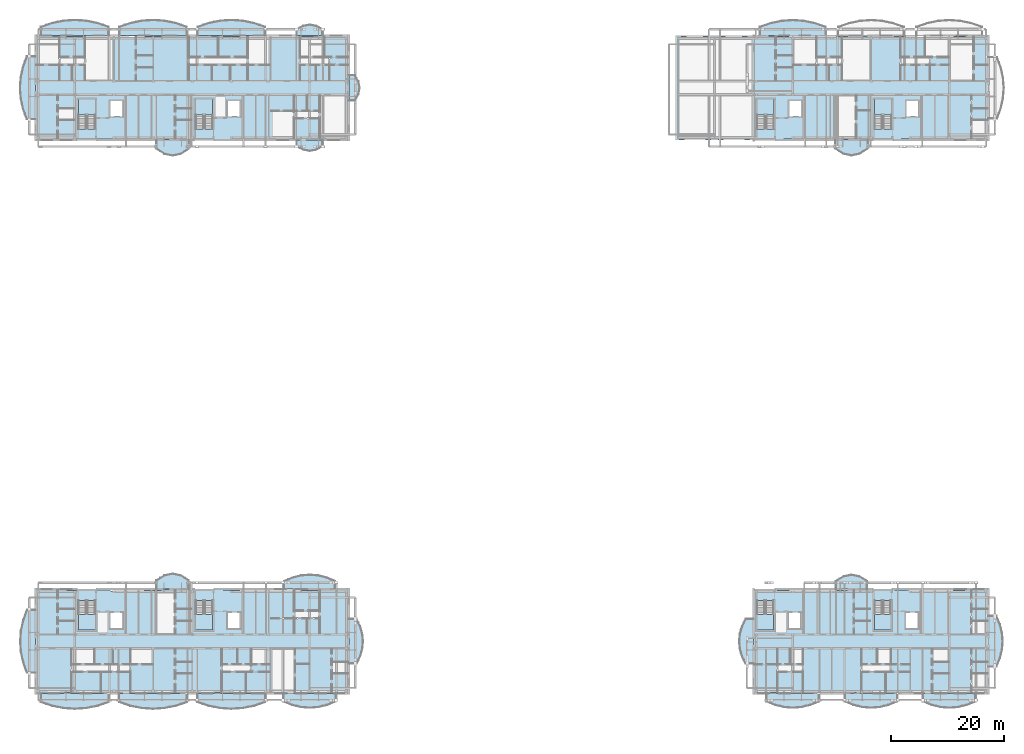
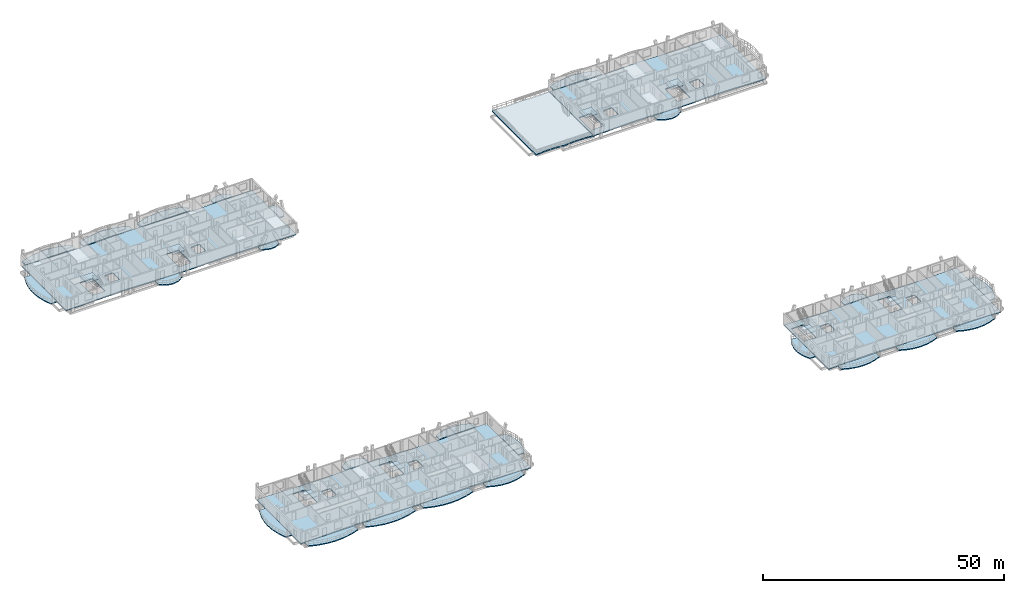
# One storey, part 8 of 44: 37 slabs, 8 elements without a shape of their own.
"""IFC4 building model written with IfcOpenShell, lengths in metres."""

from ifc_helpers import new_model, si_unit, direction, frame, origin, place, context, subcontext, project, spatial, polyline, outline, extrude, material, layer, layer_set, type_object, element, aggregate, save


model = new_model("IFC4")

# Units and contexts
model_context = context("Model", 3, precision=1e-05, world=origin(), true_north=direction((0.0, 1.0)))
body_context = subcontext(model_context, "Body", "Model", "MODEL_VIEW")
ifc_project = project(units=[si_unit("LENGTHUNIT", "METRE"), si_unit("AREAUNIT", "SQUARE_METRE"), si_unit("VOLUMEUNIT", "CUBIC_METRE"), si_unit("PLANEANGLEUNIT", "RADIAN"), si_unit("MASSUNIT", "GRAM", prefix="KILO")], contexts=[model_context])

# Site, building, storey
site_placement = place(None, origin())
site = spatial("IfcSite", under=ifc_project, at=site_placement, CompositionType="ELEMENT")
building_placement = place(site_placement, origin())
building = spatial("IfcBuilding", under=site, at=building_placement, Name="Zavelmont Quarter", CompositionType="ELEMENT")
storey_placement = place(building_placement, frame((0.0, 0.0, 20.800048828125)))
storey = spatial("IfcBuildingStorey", under=building, at=storey_placement, Name="L06", CompositionType="ELEMENT", Elevation=20.800048828125)

# Slabs
ifc_material_1 = material(Name="White architectural precast concrete C40/50", Category="concrete")
ifc_layer_1 = layer(ifc_material_1, 0.235107421875)
ifc_layer_set_1 = layer_set([ifc_layer_1], Name="White architectural precast concrete C40/50")
slab_type_1 = type_object("IfcSlabType", Name="SL-BL180", PredefinedType="FLOOR", material=ifc_layer_set_1)
slab_1_placement = place(storey_placement, frame((0.0, 0.0, -0.235107421875)))
element("IfcSlab", 1, at=slab_1_placement, inside=storey, type_object=slab_type_1, Name="L06 Block A street vase 2 balcony SL-BL180", PredefinedType="FLOOR", context=body_context, shape_type="SweptSolid", body=[
    extrude(outline(polyline([(14.712158203125, -0.02001953125), (14.712158203125, -1.514892578125), (16.7080078125, -2.176025390625), (18.7041015625, -2.57275390625), (20.699951171875, -2.705078125), (22.69580078125, -2.57275390625), (24.69189453125, -2.176025390625), (26.687744140625, -1.514892578125), (26.687744140625, -0.02001953125), (14.712158203125, -0.02001953125)])), origin(), (0.0, 0.0, 1.0), 0.235107421875),
])
slab_2_placement = place(storey_placement, frame((0.0, 0.0, -0.235107421875)))
element("IfcSlab", 2, at=slab_2_placement, inside=storey, type_object=slab_type_1, Name="L06 Block A boulevard vase balcony SL-BL180", PredefinedType="FLOOR", context=body_context, shape_type="SweptSolid", body=[
    extrude(outline(polyline([(-0.02001953125, 14.75), (-1.514892578125, 14.75), (-2.176025390625, 12.89990234375), (-2.57275390625, 11.050048828125), (-2.705078125, 9.199951171875), (-2.57275390625, 7.35009765625), (-2.176025390625, 5.5), (-1.514892578125, 3.64990234375), (-0.02001953125, 3.64990234375), (-0.02001953125, 14.75)])), origin(), (0.0, 0.0, 1.0), 0.235107421875),
])
slab_3_placement = place(storey_placement, frame((0.0, 0.0, -0.235107421875)))
element("IfcSlab", 3, at=slab_3_placement, inside=storey, type_object=slab_type_1, Name="L06 Block B street vase 2 balcony SL-BL180", PredefinedType="FLOOR", context=body_context, shape_type="SweptSolid", body=[
    extrude(outline(polyline([(26.6455078125, 116.02001953125), (26.6455078125, 117.538818359375), (24.663818359375, 118.210693359375), (22.681884765625, 118.61376953125), (20.699951171875, 118.748046875), (18.718017578125, 118.61376953125), (16.736328125, 118.210693359375), (14.75439453125, 117.538818359375), (14.75439453125, 116.02001953125), (26.6455078125, 116.02001953125)])), origin(), (0.0, 0.0, 1.0), 0.235107421875),
])
slab_4_placement = place(storey_placement, frame((0.0, 0.0, -0.235107421875)))
element("IfcSlab", 4, at=slab_4_placement, inside=storey, type_object=slab_type_1, Name="L06 Block B boulevard vase balcony SL-BL180", PredefinedType="FLOOR", context=body_context, shape_type="SweptSolid", body=[
    extrude(outline(polyline([(-0.02001953125, 112.325439453125), (-1.538818359375, 112.325439453125), (-2.210693359375, 110.483642578125), (-2.61376953125, 108.641845703125), (-2.748046875, 106.800048828125), (-2.61376953125, 104.958251953125), (-2.210693359375, 103.1162109375), (-1.538818359375, 101.2744140625), (-0.02001953125, 101.2744140625), (-0.02001953125, 112.325439453125)])), origin(), (0.0, 0.0, 1.0), 0.235107421875),
])
slab_5_placement = place(storey_placement, frame((0.0, 0.0, -0.235107421875)))
element("IfcSlab", 5, at=slab_5_placement, inside=storey, type_object=slab_type_1, Name="L06 Block C street vase 2 balcony SL-BL180", PredefinedType="FLOOR", context=body_context, shape_type="SweptSolid", body=[
    extrude(outline(polyline([(139.296142578125, 116.02001953125), (139.296142578125, 117.523681640625), (137.364013671875, 118.18896484375), (135.431884765625, 118.587890625), (133.5, 118.720947265625), (131.568115234375, 118.587890625), (129.635986328125, 118.18896484375), (127.703857421875, 117.523681640625), (127.703857421875, 116.02001953125), (139.296142578125, 116.02001953125)])), origin(), (0.0, 0.0, 1.0), 0.235107421875),
])
slab_6_placement = place(storey_placement, frame((0.0, 0.0, -0.235107421875)))
element("IfcSlab", 6, at=slab_6_placement, inside=storey, type_object=slab_type_1, Name="L06 Block D street vase 2 balcony SL-BL180", PredefinedType="FLOOR", context=body_context, shape_type="SweptSolid", body=[
    extrude(outline(polyline([(128.88525390625, -0.02001953125), (128.88525390625, -1.412353515625), (130.423583984375, -2.02880859375), (131.9619140625, -2.398681640625), (133.5, -2.52197265625), (135.0380859375, -2.398681640625), (136.576416015625, -2.02880859375), (138.11474609375, -1.412353515625), (138.11474609375, -0.02001953125), (128.88525390625, -0.02001953125)])), origin(), (0.0, 0.0, 1.0), 0.235107421875),
])
slab_7_placement = place(storey_placement, frame((0.0, 0.0, -0.235107421875)))
element("IfcSlab", 7, at=slab_7_placement, inside=storey, type_object=slab_type_1, Name="L06 Block D boulevard vase balcony SL-BL180", PredefinedType="FLOOR", context=body_context, shape_type="SweptSolid", body=[
    extrude(outline(polyline([(168.02001953125, 4.728515625), (169.412353515625, 4.728515625), (170.02880859375, 6.218994140625), (170.398681640625, 7.70947265625), (170.52197265625, 9.199951171875), (170.398681640625, 10.6904296875), (170.02880859375, 12.180908203125), (169.412353515625, 13.67138671875), (168.02001953125, 13.67138671875), (168.02001953125, 4.728515625)])), origin(), (0.0, 0.0, 1.0), 0.235107421875),
])
ifc_layer_2 = layer(ifc_material_1, 0.2451171875)
ifc_layer_set_2 = layer_set([ifc_layer_2], Name="White architectural precast concrete C40/50")
slab_type_2 = type_object("IfcSlabType", Name="SL-BL200", PredefinedType="FLOOR", material=ifc_layer_set_2)
slab_8_placement = place(storey_placement, frame((0.0, 0.0, -0.2451171875)))
element("IfcSlab", 8, at=slab_8_placement, inside=storey, type_object=slab_type_2, Name="L06 Block A street vase 1 balcony SL-BL200", PredefinedType="FLOOR", context=body_context, shape_type="SweptSolid", body=[
    extrude(outline(polyline([(0.912109375, -0.02001953125), (0.912109375, -1.514892578125), (2.908203125, -2.176025390625), (4.904052734375, -2.57275390625), (6.89990234375, -2.705078125), (8.89599609375, -2.57275390625), (10.891845703125, -2.176025390625), (12.8876953125, -1.514892578125), (12.8876953125, -0.02001953125), (0.912109375, -0.02001953125)])), origin(), (0.0, 0.0, 1.0), 0.2451171875),
])
slab_9_placement = place(storey_placement, frame((0.0, 0.0, -0.2451171875)))
element("IfcSlab", 9, at=slab_9_placement, inside=storey, type_object=slab_type_2, Name="L06 Block A street vase 4 balcony SL-BL200", PredefinedType="FLOOR", context=body_context, shape_type="SweptSolid", body=[
    extrude(outline(polyline([(43.685302734375, -0.02001953125), (43.685302734375, -1.412353515625), (45.223388671875, -2.02880859375), (46.76171875, -2.398681640625), (48.300048828125, -2.52197265625), (49.838134765625, -2.398681640625), (51.37646484375, -2.02880859375), (52.914794921875, -1.412353515625), (52.914794921875, -0.02001953125), (43.685302734375, -0.02001953125)])), origin(), (0.0, 0.0, 1.0), 0.2451171875),
])
slab_10_placement = place(storey_placement, frame((0.0, 0.0, -0.2451171875)))
element("IfcSlab", 10, at=slab_10_placement, inside=storey, type_object=slab_type_2, Name="L06 Block A courtyard central vase balcony SL-BL200", PredefinedType="FLOOR", context=body_context, shape_type="SweptSolid", body=[
    extrude(outline(polyline([(27.0, 18.419921875), (27.0, 19.914794921875), (25.574951171875, 20.807373046875), (24.14990234375, 21.10498046875), (22.72509765625, 20.807373046875), (21.300048828125, 19.914794921875), (21.300048828125, 18.419921875), (27.0, 18.419921875)])), origin(), (0.0, 0.0, 1.0), 0.2451171875),
])
slab_11_placement = place(storey_placement, frame((0.0, 0.0, -0.2451171875)))
element("IfcSlab", 11, at=slab_11_placement, inside=storey, type_object=slab_type_2, Name="L06 Block B street vase 1 balcony SL-BL200", PredefinedType="FLOOR", context=body_context, shape_type="SweptSolid", body=[
    extrude(outline(polyline([(12.845703125, 116.02001953125), (12.845703125, 117.538818359375), (10.86376953125, 118.210693359375), (8.8818359375, 118.61376953125), (6.89990234375, 118.748046875), (4.918212890625, 118.61376953125), (2.936279296875, 118.210693359375), (0.954345703125, 117.538818359375), (0.954345703125, 116.02001953125), (12.845703125, 116.02001953125)])), origin(), (0.0, 0.0, 1.0), 0.2451171875),
])
slab_12_placement = place(storey_placement, frame((0.0, 0.0, -0.2451171875)))
element("IfcSlab", 12, at=slab_12_placement, inside=storey, type_object=slab_type_2, Name="L06 Block B street vase 4 balcony SL-BL200", PredefinedType="FLOOR", context=body_context, shape_type="SweptSolid", body=[
    extrude(outline(polyline([(50.5654296875, 116.02001953125), (50.5654296875, 117.10009765625), (49.4326171875, 117.71435546875), (48.300048828125, 117.9189453125), (47.167236328125, 117.71435546875), (46.034423828125, 117.10009765625), (46.034423828125, 116.02001953125), (50.5654296875, 116.02001953125)])), origin(), (0.0, 0.0, 1.0), 0.2451171875),
])
slab_13_placement = place(storey_placement, frame((0.0, 0.0, -0.2451171875)))
element("IfcSlab", 13, at=slab_13_placement, inside=storey, type_object=slab_type_2, Name="L06 Block B courtyard central vase balcony SL-BL200", PredefinedType="FLOOR", context=body_context, shape_type="SweptSolid", body=[
    extrude(outline(polyline([(21.300048828125, 97.580078125), (21.300048828125, 96.06103515625), (22.72509765625, 95.154296875), (24.14990234375, 94.85205078125), (25.574951171875, 95.154296875), (27.0, 96.06103515625), (27.0, 97.580078125), (21.300048828125, 97.580078125)])), origin(), (0.0, 0.0, 1.0), 0.2451171875),
])
slab_14_placement = place(storey_placement, frame((0.0, 0.0, -0.2451171875)))
element("IfcSlab", 14, at=slab_14_placement, inside=storey, type_object=slab_type_2, Name="L06 Block C courtyard central vase balcony SL-BL200", PredefinedType="FLOOR", context=body_context, shape_type="SweptSolid", body=[
    extrude(outline(polyline([(141.0, 97.580078125), (141.0, 96.076171875), (142.425048828125, 95.17822265625), (143.85009765625, 94.87890625), (145.27490234375, 95.17822265625), (146.699951171875, 96.076171875), (146.699951171875, 97.580078125), (141.0, 97.580078125)])), origin(), (0.0, 0.0, 1.0), 0.2451171875),
])
slab_15_placement = place(storey_placement, frame((0.0, 0.0, -0.2451171875)))
element("IfcSlab", 15, at=slab_15_placement, inside=storey, type_object=slab_type_2, Name="L06 Block D street vase 4 balcony SL-BL200", PredefinedType="FLOOR", context=body_context, shape_type="SweptSolid", body=[
    extrude(outline(polyline([(156.4853515625, -0.02001953125), (156.4853515625, -1.412353515625), (158.0234375, -2.02880859375), (159.561767578125, -2.398681640625), (161.10009765625, -2.52197265625), (162.63818359375, -2.398681640625), (164.176513671875, -2.02880859375), (165.714599609375, -1.412353515625), (165.714599609375, -0.02001953125), (156.4853515625, -0.02001953125)])), origin(), (0.0, 0.0, 1.0), 0.2451171875),
])
slab_16_placement = place(storey_placement, frame((0.0, 0.0, -0.2451171875)))
element("IfcSlab", 16, at=slab_16_placement, inside=storey, type_object=slab_type_2, Name="L06 Block D courtyard central vase balcony SL-BL200", PredefinedType="FLOOR", context=body_context, shape_type="SweptSolid", body=[
    extrude(outline(polyline([(146.58935546875, 18.419921875), (146.58935546875, 19.812255859375), (145.2197265625, 20.64453125), (143.85009765625, 20.922119140625), (142.480224609375, 20.64453125), (141.110595703125, 19.812255859375), (141.110595703125, 18.419921875), (146.58935546875, 18.419921875)])), origin(), (0.0, 0.0, 1.0), 0.2451171875),
])
ifc_layer_3 = layer(ifc_material_1, 0.2548828125)
ifc_layer_set_3 = layer_set([ifc_layer_3], Name="White architectural precast concrete C40/50")
slab_type_3 = type_object("IfcSlabType", Name="SL-BL220", PredefinedType="FLOOR", material=ifc_layer_set_3)
slab_17_placement = place(storey_placement, frame((0.0, 0.0, -0.255126953125)))
element("IfcSlab", 17, at=slab_17_placement, inside=storey, type_object=slab_type_3, Name="L06 Block A street vase 3 balcony SL-BL220", PredefinedType="FLOOR", context=body_context, shape_type="SweptSolid", body=[
    extrude(outline(polyline([(28.51220703125, -0.02001953125), (28.51220703125, -1.514892578125), (30.508056640625, -2.176025390625), (32.504150390625, -2.57275390625), (34.5, -2.705078125), (36.495849609375, -2.57275390625), (38.491943359375, -2.176025390625), (40.48779296875, -1.514892578125), (40.48779296875, -0.02001953125), (28.51220703125, -0.02001953125)])), origin(), (0.0, 0.0, 1.0), 0.255126953125),
])
slab_18_placement = place(storey_placement, frame((0.0, 0.0, -0.255126953125)))
element("IfcSlab", 18, at=slab_18_placement, inside=storey, type_object=slab_type_3, Name="L06 Block A courtyard return vase balcony SL-BL220", PredefinedType="FLOOR", context=body_context, shape_type="SweptSolid", body=[
    extrude(outline(polyline([(55.219970703125, 5.276611328125), (56.6123046875, 5.276611328125), (57.228759765625, 6.58447265625), (57.5986328125, 7.89208984375), (57.721923828125, 9.199951171875), (57.5986328125, 10.5078125), (57.228759765625, 11.815673828125), (56.6123046875, 13.123291015625), (55.219970703125, 13.123291015625), (55.219970703125, 5.276611328125)])), origin(), (0.0, 0.0, 1.0), 0.255126953125),
])
slab_19_placement = place(storey_placement, frame((0.0, 0.0, -0.255126953125)))
element("IfcSlab", 19, at=slab_19_placement, inside=storey, type_object=slab_type_3, Name="L06 Block A courtyard outer vase balcony SL-BL220", PredefinedType="FLOOR", context=body_context, shape_type="SweptSolid", body=[
    extrude(outline(polyline([(52.771484375, 18.419921875), (52.771484375, 19.812255859375), (51.281005859375, 20.4287109375), (49.79052734375, 20.798583984375), (48.300048828125, 20.922119140625), (46.8095703125, 20.798583984375), (45.319091796875, 20.4287109375), (43.82861328125, 19.812255859375), (43.82861328125, 18.419921875), (52.771484375, 18.419921875)])), origin(), (0.0, 0.0, 1.0), 0.255126953125),
])
slab_20_placement = place(storey_placement, frame((0.0, 0.0, -0.255126953125)))
element("IfcSlab", 20, at=slab_20_placement, inside=storey, type_object=slab_type_3, Name="L06 Block B street vase 3 balcony SL-BL220", PredefinedType="FLOOR", context=body_context, shape_type="SweptSolid", body=[
    extrude(outline(polyline([(40.445556640625, 116.02001953125), (40.445556640625, 117.538818359375), (38.463623046875, 118.210693359375), (36.48193359375, 118.61376953125), (34.5, 118.748046875), (32.51806640625, 118.61376953125), (30.536376953125, 118.210693359375), (28.554443359375, 117.538818359375), (28.554443359375, 116.02001953125), (40.445556640625, 116.02001953125)])), origin(), (0.0, 0.0, 1.0), 0.255126953125),
])
slab_21_placement = place(storey_placement, frame((0.0, 0.0, -0.255126953125)))
element("IfcSlab", 21, at=slab_21_placement, inside=storey, type_object=slab_type_3, Name="L06 Block B courtyard return vase balcony SL-BL220", PredefinedType="FLOOR", context=body_context, shape_type="SweptSolid", body=[
    extrude(outline(polyline([(55.219970703125, 104.558837890625), (56.300048828125, 104.558837890625), (56.914306640625, 105.679443359375), (57.118896484375, 106.800048828125), (56.914306640625, 107.92041015625), (56.300048828125, 109.041015625), (55.219970703125, 109.041015625), (55.219970703125, 104.558837890625)])), origin(), (0.0, 0.0, 1.0), 0.255126953125),
])
slab_22_placement = place(storey_placement, frame((0.0, 0.0, -0.255126953125)))
element("IfcSlab", 22, at=slab_22_placement, inside=storey, type_object=slab_type_3, Name="L06 Block B courtyard outer vase balcony SL-BL220", PredefinedType="FLOOR", context=body_context, shape_type="SweptSolid", body=[
    extrude(outline(polyline([(46.034423828125, 97.580078125), (46.034423828125, 96.5), (47.167236328125, 95.8857421875), (48.300048828125, 95.680908203125), (49.4326171875, 95.8857421875), (50.5654296875, 96.5), (50.5654296875, 97.580078125), (46.034423828125, 97.580078125)])), origin(), (0.0, 0.0, 1.0), 0.255126953125),
])
slab_23_placement = place(storey_placement, frame((0.0, 0.0, -0.255126953125)))
element("IfcSlab", 23, at=slab_23_placement, inside=storey, type_object=slab_type_3, Name="L06 Block D street vase 3 balcony SL-BL220", PredefinedType="FLOOR", context=body_context, shape_type="SweptSolid", body=[
    extrude(outline(polyline([(142.685302734375, -0.02001953125), (142.685302734375, -1.412353515625), (144.223388671875, -2.02880859375), (145.76171875, -2.398681640625), (147.300048828125, -2.52197265625), (148.838134765625, -2.398681640625), (150.37646484375, -2.02880859375), (151.914794921875, -1.412353515625), (151.914794921875, -0.02001953125), (142.685302734375, -0.02001953125)])), origin(), (0.0, 0.0, 1.0), 0.255126953125),
])
slab_24_placement = place(storey_placement, frame((0.0, 0.0, -0.255126953125)))
element("IfcSlab", 24, at=slab_24_placement, inside=storey, type_object=slab_type_3, Name="L06 Block D courtyard return vase balcony SL-BL220", PredefinedType="FLOOR", context=body_context, shape_type="SweptSolid", body=[
    extrude(outline(polyline([(126.580078125, 13.123291015625), (125.187744140625, 13.123291015625), (124.5712890625, 11.815673828125), (124.201416015625, 10.5078125), (124.077880859375, 9.199951171875), (124.201416015625, 7.89208984375), (124.5712890625, 6.58447265625), (125.187744140625, 5.276611328125), (126.580078125, 5.276611328125), (126.580078125, 13.123291015625)])), origin(), (0.0, 0.0, 1.0), 0.255126953125),
])
ifc_material_2 = material(Name="Concrete C35/45", Category="concrete")
ifc_layer_4 = layer(ifc_material_2, 0.25)
ifc_layer_set_4 = layer_set([ifc_layer_4], Name="Concrete C35/45")
slab_type_4 = type_object("IfcSlabType", Name="SL-FL250", PredefinedType="FLOOR", material=ifc_layer_set_4)
slab_25_placement = place(storey_placement, frame((0.0, 0.0, -0.25)))
element("IfcSlab", 25, at=slab_25_placement, inside=storey, type_object=slab_type_4, Name="L06 Block A floor slab SL-FL250", PredefinedType="FLOOR", context=body_context, shape_type="SweptSolid", body=[
    extrude(outline(polyline([(0.0, 0.0), (3.449951171875, 0.041015625), (6.89990234375, 0.139892578125), (10.35009765625, 0.239013671875), (13.800048828125, 0.280029296875), (17.25, 0.239013671875), (20.699951171875, 0.139892578125), (24.14990234375, 0.041015625), (27.60009765625, 0.0), (31.050048828125, 0.041015625), (34.5, 0.139892578125), (37.949951171875, 0.239013671875), (41.39990234375, 0.280029296875), (44.85009765625, 0.239013671875), (48.300048828125, 0.139892578125), (51.75, 0.041015625), (55.199951171875, 0.0), (55.199951171875, 3.679931640625), (55.199951171875, 7.360107421875), (55.199951171875, 11.0400390625), (55.199951171875, 14.719970703125), (55.199951171875, 18.39990234375), (51.75, 18.35888671875), (48.300048828125, 18.260009765625), (44.85009765625, 18.160888671875), (41.39990234375, 18.1201171875), (37.949951171875, 18.160888671875), (34.5, 18.260009765625), (31.050048828125, 18.35888671875), (27.60009765625, 18.39990234375), (24.14990234375, 18.35888671875), (20.699951171875, 18.260009765625), (17.25, 18.160888671875), (13.800048828125, 18.1201171875), (10.35009765625, 18.160888671875), (6.89990234375, 18.260009765625), (3.449951171875, 18.35888671875), (0.0, 18.39990234375), (0.0, 14.719970703125), (0.0, 11.0400390625), (0.0, 7.360107421875), (0.0, 3.679931640625), (0.0, 0.0)]), holes=[polyline([(7.5, 16.425048828125), (7.5, 11.199951171875), (10.5, 11.199951171875), (10.5, 16.425048828125), (7.5, 16.425048828125)]), polyline([(13.14990234375, 11.5), (15.25, 11.5), (15.25, 14.25), (13.14990234375, 14.25), (13.14990234375, 11.5)]), polyline([(28.199951171875, 16.425048828125), (28.199951171875, 11.199951171875), (31.199951171875, 11.199951171875), (31.199951171875, 16.425048828125), (28.199951171875, 16.425048828125)]), polyline([(33.85009765625, 11.5), (35.949951171875, 11.5), (35.949951171875, 14.25), (33.85009765625, 14.25), (33.85009765625, 11.5)])]), origin(), (0.0, 0.0, 1.0), 0.25),
])
slab_26_placement = place(storey_placement, frame((0.0, 0.0, -0.25)))
element("IfcSlab", 26, at=slab_26_placement, inside=storey, type_object=slab_type_4, Name="L06 Block B floor slab SL-FL250", PredefinedType="FLOOR", context=body_context, shape_type="SweptSolid", body=[
    extrude(outline(polyline([(0.0, 97.60009765625), (3.449951171875, 97.64111328125), (6.89990234375, 97.739990234375), (10.35009765625, 97.839111328125), (13.800048828125, 97.8798828125), (17.25, 97.839111328125), (20.699951171875, 97.739990234375), (24.14990234375, 97.64111328125), (27.60009765625, 97.60009765625), (31.050048828125, 97.64111328125), (34.5, 97.739990234375), (37.949951171875, 97.839111328125), (41.39990234375, 97.8798828125), (44.85009765625, 97.839111328125), (48.300048828125, 97.739990234375), (51.75, 97.64111328125), (55.199951171875, 97.60009765625), (55.199951171875, 101.280029296875), (55.199951171875, 104.9599609375), (55.199951171875, 108.639892578125), (55.199951171875, 112.320068359375), (55.199951171875, 116.0), (51.75, 115.958984375), (48.300048828125, 115.860107421875), (44.85009765625, 115.760986328125), (41.39990234375, 115.719970703125), (37.949951171875, 115.760986328125), (34.5, 115.860107421875), (31.050048828125, 115.958984375), (27.60009765625, 116.0), (24.14990234375, 115.958984375), (20.699951171875, 115.860107421875), (17.25, 115.760986328125), (13.800048828125, 115.719970703125), (10.35009765625, 115.760986328125), (6.89990234375, 115.860107421875), (3.449951171875, 115.958984375), (0.0, 116.0), (0.0, 112.320068359375), (0.0, 108.639892578125), (0.0, 104.9599609375), (0.0, 101.280029296875), (0.0, 97.60009765625)]), holes=[polyline([(10.5, 99.574951171875), (10.5, 104.800048828125), (7.5, 104.800048828125), (7.5, 99.574951171875), (10.5, 99.574951171875)]), polyline([(13.14990234375, 101.75), (15.25, 101.75), (15.25, 104.5), (13.14990234375, 104.5), (13.14990234375, 101.75)]), polyline([(31.199951171875, 99.574951171875), (31.199951171875, 104.800048828125), (28.199951171875, 104.800048828125), (28.199951171875, 99.574951171875), (31.199951171875, 99.574951171875)]), polyline([(33.85009765625, 101.75), (35.949951171875, 101.75), (35.949951171875, 104.5), (33.85009765625, 104.5), (33.85009765625, 101.75)])]), origin(), (0.0, 0.0, 1.0), 0.25),
])
slab_27_placement = place(storey_placement, frame((0.0, 0.0, -0.25)))
element("IfcSlab", 27, at=slab_27_placement, inside=storey, type_object=slab_type_4, Name="L06 Block C floor slab SL-FL250", PredefinedType="FLOOR", context=body_context, shape_type="SweptSolid", body=[
    extrude(outline(polyline([(126.60009765625, 97.60009765625), (130.050048828125, 97.669921875), (133.5, 97.81005859375), (136.949951171875, 97.8798828125), (140.39990234375, 97.81005859375), (143.85009765625, 97.669921875), (147.300048828125, 97.60009765625), (150.75, 97.669921875), (154.199951171875, 97.81005859375), (157.64990234375, 97.8798828125), (161.10009765625, 97.81005859375), (164.550048828125, 97.669921875), (168.0, 97.60009765625), (168.0, 101.280029296875), (168.0, 104.9599609375), (168.0, 108.639892578125), (168.0, 112.320068359375), (168.0, 116.0), (164.550048828125, 115.929931640625), (161.10009765625, 115.7900390625), (157.64990234375, 115.719970703125), (154.199951171875, 115.7900390625), (150.75, 115.929931640625), (147.300048828125, 116.0), (143.85009765625, 115.929931640625), (140.39990234375, 115.7900390625), (136.949951171875, 115.719970703125), (133.5, 115.7900390625), (130.050048828125, 115.929931640625), (126.60009765625, 116.0), (126.60009765625, 112.320068359375), (126.60009765625, 108.639892578125), (126.60009765625, 104.9599609375), (126.60009765625, 101.280029296875), (126.60009765625, 97.60009765625)]), holes=[polyline([(130.199951171875, 99.574951171875), (130.199951171875, 104.800048828125), (127.199951171875, 104.800048828125), (127.199951171875, 99.574951171875), (130.199951171875, 99.574951171875)]), polyline([(132.85009765625, 101.75), (134.949951171875, 101.75), (134.949951171875, 104.5), (132.85009765625, 104.5), (132.85009765625, 101.75)]), polyline([(150.89990234375, 99.574951171875), (150.89990234375, 104.800048828125), (147.89990234375, 104.800048828125), (147.89990234375, 99.574951171875), (150.89990234375, 99.574951171875)]), polyline([(153.550048828125, 101.75), (155.64990234375, 101.75), (155.64990234375, 104.5), (153.550048828125, 104.5), (153.550048828125, 101.75)])]), origin(), (0.0, 0.0, 1.0), 0.25),
])
slab_28_placement = place(storey_placement, frame((0.0, 0.0, -0.25)))
element("IfcSlab", 28, at=slab_28_placement, inside=storey, type_object=slab_type_4, Name="L06 Block D floor slab SL-FL250", PredefinedType="FLOOR", context=body_context, shape_type="SweptSolid", body=[
    extrude(outline(polyline([(126.60009765625, 0.0), (130.050048828125, 0.070068359375), (133.5, 0.2099609375), (136.949951171875, 0.280029296875), (140.39990234375, 0.2099609375), (143.85009765625, 0.070068359375), (147.300048828125, 0.0), (150.75, 0.070068359375), (154.199951171875, 0.2099609375), (157.64990234375, 0.280029296875), (161.10009765625, 0.2099609375), (164.550048828125, 0.070068359375), (168.0, 0.0), (168.0, 3.679931640625), (168.0, 7.360107421875), (168.0, 11.0400390625), (168.0, 14.719970703125), (168.0, 18.39990234375), (164.550048828125, 18.330078125), (161.10009765625, 18.18994140625), (157.64990234375, 18.1201171875), (154.199951171875, 18.18994140625), (150.75, 18.330078125), (147.300048828125, 18.39990234375), (143.85009765625, 18.330078125), (140.39990234375, 18.18994140625), (136.949951171875, 18.1201171875), (133.5, 18.18994140625), (130.050048828125, 18.330078125), (126.60009765625, 18.39990234375), (126.60009765625, 14.719970703125), (126.60009765625, 11.0400390625), (126.60009765625, 7.360107421875), (126.60009765625, 3.679931640625), (126.60009765625, 0.0)]), holes=[polyline([(127.199951171875, 16.425048828125), (127.199951171875, 11.199951171875), (130.10009765625, 11.199951171875), (130.10009765625, 16.425048828125), (127.199951171875, 16.425048828125)]), polyline([(132.75, 11.5), (134.85009765625, 11.5), (134.85009765625, 14.25), (132.75, 14.25), (132.75, 11.5)]), polyline([(147.89990234375, 16.425048828125), (147.89990234375, 11.199951171875), (150.800048828125, 11.199951171875), (150.800048828125, 16.425048828125), (147.89990234375, 16.425048828125)]), polyline([(153.449951171875, 11.5), (155.550048828125, 11.5), (155.550048828125, 14.25), (153.449951171875, 14.25), (153.449951171875, 11.5)])]), origin(), (0.0, 0.0, 1.0), 0.25),
])

# Stair, slab
stair_type_1 = type_object("IfcStairType", Name="STR-1400-1778", PredefinedType="HALF_TURN_STAIR", material=ifc_material_2)
stair_1_placement = place(storey_placement, origin())
stair_1 = element("IfcStair", 29, at=stair_1_placement, inside=storey, type_object=stair_type_1, Name="L06 protected stair ST01", PredefinedType="HALF_TURN_STAIR")
ifc_layer_5 = layer(ifc_material_2, 0.199951171875)
ifc_layer_set_5 = layer_set([ifc_layer_5], Name="Concrete C35/45")
slab_type_5 = type_object("IfcSlabType", Name="SL-LND200", PredefinedType="LANDING", material=ifc_layer_set_5)
slab_29_placement = place(storey_placement, frame((0.0, 0.0, 1.39990234375)))
slab_29 = element("IfcSlab", 30, at=slab_29_placement, type_object=slab_type_5, Name="ST01 landing 1", PredefinedType="LANDING", context=body_context, shape_type="SweptSolid", body=[
    extrude(outline(polyline([(7.5, 13.969970703125), (7.5, 11.199951171875), (10.5, 11.199951171875), (10.5, 13.969970703125), (7.5, 13.969970703125)])), origin(), (0.0, 0.0, 1.0), 0.199951171875),
])
aggregate(stair_1, [slab_29])

stair_2_placement = place(storey_placement, origin())
stair_2 = element("IfcStair", 31, at=stair_2_placement, inside=storey, type_object=stair_type_1, Name="L06 protected stair ST02", PredefinedType="HALF_TURN_STAIR")
slab_30_placement = place(storey_placement, frame((0.0, 0.0, 1.39990234375)))
slab_30 = element("IfcSlab", 32, at=slab_30_placement, type_object=slab_type_5, Name="ST02 landing 1", PredefinedType="LANDING", context=body_context, shape_type="SweptSolid", body=[
    extrude(outline(polyline([(28.199951171875, 13.969970703125), (28.199951171875, 11.199951171875), (31.199951171875, 11.199951171875), (31.199951171875, 13.969970703125), (28.199951171875, 13.969970703125)])), origin(), (0.0, 0.0, 1.0), 0.199951171875),
])
aggregate(stair_2, [slab_30])

stair_3_placement = place(storey_placement, origin())
stair_3 = element("IfcStair", 33, at=stair_3_placement, inside=storey, type_object=stair_type_1, Name="L06 protected stair ST03", PredefinedType="HALF_TURN_STAIR")
slab_31_placement = place(storey_placement, frame((0.0, 0.0, 1.39990234375)))
slab_31 = element("IfcSlab", 34, at=slab_31_placement, type_object=slab_type_5, Name="ST03 landing 1", PredefinedType="LANDING", context=body_context, shape_type="SweptSolid", body=[
    extrude(outline(polyline([(10.5, 102.030029296875), (10.5, 104.800048828125), (7.5, 104.800048828125), (7.5, 102.030029296875), (10.5, 102.030029296875)])), origin(), (0.0, 0.0, 1.0), 0.199951171875),
])
aggregate(stair_3, [slab_31])

stair_4_placement = place(storey_placement, origin())
stair_4 = element("IfcStair", 35, at=stair_4_placement, inside=storey, type_object=stair_type_1, Name="L06 protected stair ST04", PredefinedType="HALF_TURN_STAIR")
slab_32_placement = place(storey_placement, frame((0.0, 0.0, 1.39990234375)))
slab_32 = element("IfcSlab", 36, at=slab_32_placement, type_object=slab_type_5, Name="ST04 landing 1", PredefinedType="LANDING", context=body_context, shape_type="SweptSolid", body=[
    extrude(outline(polyline([(31.199951171875, 102.030029296875), (31.199951171875, 104.800048828125), (28.199951171875, 104.800048828125), (28.199951171875, 102.030029296875), (31.199951171875, 102.030029296875)])), origin(), (0.0, 0.0, 1.0), 0.199951171875),
])
aggregate(stair_4, [slab_32])

stair_5_placement = place(storey_placement, origin())
stair_5 = element("IfcStair", 37, at=stair_5_placement, inside=storey, type_object=stair_type_1, Name="L06 protected stair ST05", PredefinedType="HALF_TURN_STAIR")
slab_33_placement = place(storey_placement, frame((0.0, 0.0, 1.39990234375)))
slab_33 = element("IfcSlab", 38, at=slab_33_placement, type_object=slab_type_5, Name="ST05 landing 1", PredefinedType="LANDING", context=body_context, shape_type="SweptSolid", body=[
    extrude(outline(polyline([(130.199951171875, 102.030029296875), (130.199951171875, 104.800048828125), (127.199951171875, 104.800048828125), (127.199951171875, 102.030029296875), (130.199951171875, 102.030029296875)])), origin(), (0.0, 0.0, 1.0), 0.199951171875),
])
aggregate(stair_5, [slab_33])

stair_6_placement = place(storey_placement, origin())
stair_6 = element("IfcStair", 39, at=stair_6_placement, inside=storey, type_object=stair_type_1, Name="L06 protected stair ST06", PredefinedType="HALF_TURN_STAIR")
slab_34_placement = place(storey_placement, frame((0.0, 0.0, 1.39990234375)))
slab_34 = element("IfcSlab", 40, at=slab_34_placement, type_object=slab_type_5, Name="ST06 landing 1", PredefinedType="LANDING", context=body_context, shape_type="SweptSolid", body=[
    extrude(outline(polyline([(150.89990234375, 102.030029296875), (150.89990234375, 104.800048828125), (147.89990234375, 104.800048828125), (147.89990234375, 102.030029296875), (150.89990234375, 102.030029296875)])), origin(), (0.0, 0.0, 1.0), 0.199951171875),
])
aggregate(stair_6, [slab_34])

stair_type_2 = type_object("IfcStairType", Name="STR-1350-1778", PredefinedType="HALF_TURN_STAIR", material=ifc_material_2)
stair_7_placement = place(storey_placement, origin())
stair_7 = element("IfcStair", 41, at=stair_7_placement, inside=storey, type_object=stair_type_2, Name="L06 protected stair ST07", PredefinedType="HALF_TURN_STAIR")
slab_35_placement = place(storey_placement, frame((0.0, 0.0, 1.39990234375)))
slab_35 = element("IfcSlab", 42, at=slab_35_placement, type_object=slab_type_5, Name="ST07 landing 1", PredefinedType="LANDING", context=body_context, shape_type="SweptSolid", body=[
    extrude(outline(polyline([(127.199951171875, 13.969970703125), (127.199951171875, 11.199951171875), (130.10009765625, 11.199951171875), (130.10009765625, 13.969970703125), (127.199951171875, 13.969970703125)])), origin(), (0.0, 0.0, 1.0), 0.199951171875),
])
aggregate(stair_7, [slab_35])

stair_8_placement = place(storey_placement, origin())
stair_8 = element("IfcStair", 43, at=stair_8_placement, inside=storey, type_object=stair_type_2, Name="L06 protected stair ST08", PredefinedType="HALF_TURN_STAIR")
slab_36_placement = place(storey_placement, frame((0.0, 0.0, 1.39990234375)))
slab_36 = element("IfcSlab", 44, at=slab_36_placement, type_object=slab_type_5, Name="ST08 landing 1", PredefinedType="LANDING", context=body_context, shape_type="SweptSolid", body=[
    extrude(outline(polyline([(147.89990234375, 13.969970703125), (147.89990234375, 11.199951171875), (150.800048828125, 11.199951171875), (150.800048828125, 13.969970703125), (147.89990234375, 13.969970703125)])), origin(), (0.0, 0.0, 1.0), 0.199951171875),
])
aggregate(stair_8, [slab_36])

# Slab
ifc_layer_6 = layer(ifc_material_2, 0.2900390625)
ifc_layer_set_6 = layer_set([ifc_layer_6], Name="Concrete C35/45")
slab_type_6 = type_object("IfcSlabType", Name="SL-TR290", PredefinedType="FLOOR", material=ifc_layer_set_6)
slab_37_placement = place(storey_placement, frame((0.0, 0.0, -0.2900390625)))
element("IfcSlab", 45, at=slab_37_placement, inside=storey, type_object=slab_type_6, Name="L06 Block C setback terrace roof slab SL-TR290", PredefinedType="FLOOR", context=body_context, shape_type="SweptSolid", body=[
    extrude(outline(polyline([(112.800048828125, 97.60009765625), (115.091796875, 97.81005859375), (117.38330078125, 97.81005859375), (119.675048828125, 97.60009765625), (121.966796875, 97.81005859375), (124.25830078125, 97.81005859375), (126.550048828125, 97.60009765625), (126.550048828125, 101.280029296875), (126.550048828125, 104.9599609375), (126.550048828125, 108.639892578125), (126.550048828125, 112.320068359375), (126.550048828125, 116.0), (124.25830078125, 115.7900390625), (121.966796875, 115.7900390625), (119.675048828125, 116.0), (117.38330078125, 115.7900390625), (115.091796875, 115.7900390625), (112.800048828125, 116.0), (112.800048828125, 112.320068359375), (112.800048828125, 108.639892578125), (112.800048828125, 104.9599609375), (112.800048828125, 101.280029296875), (112.800048828125, 97.60009765625)])), origin(), (0.0, 0.0, 1.0), 0.2900390625),
])

save(model, "model.ifc")
